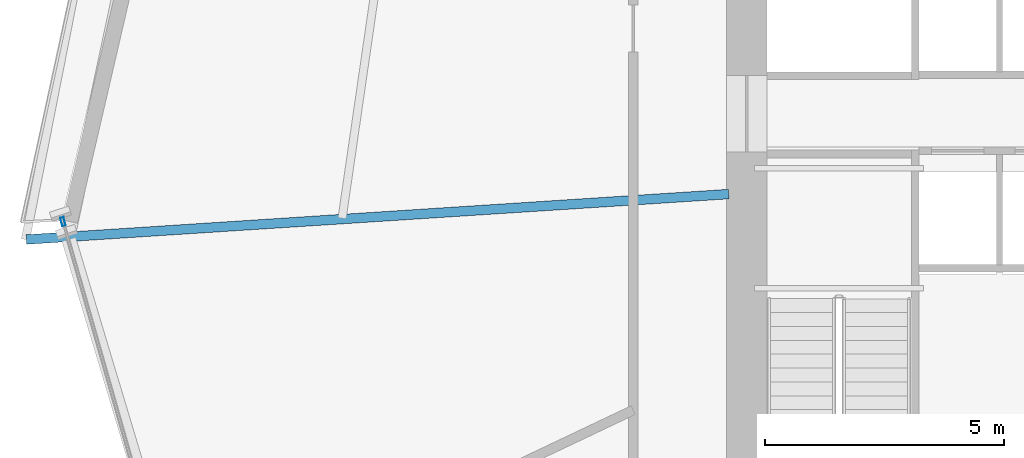
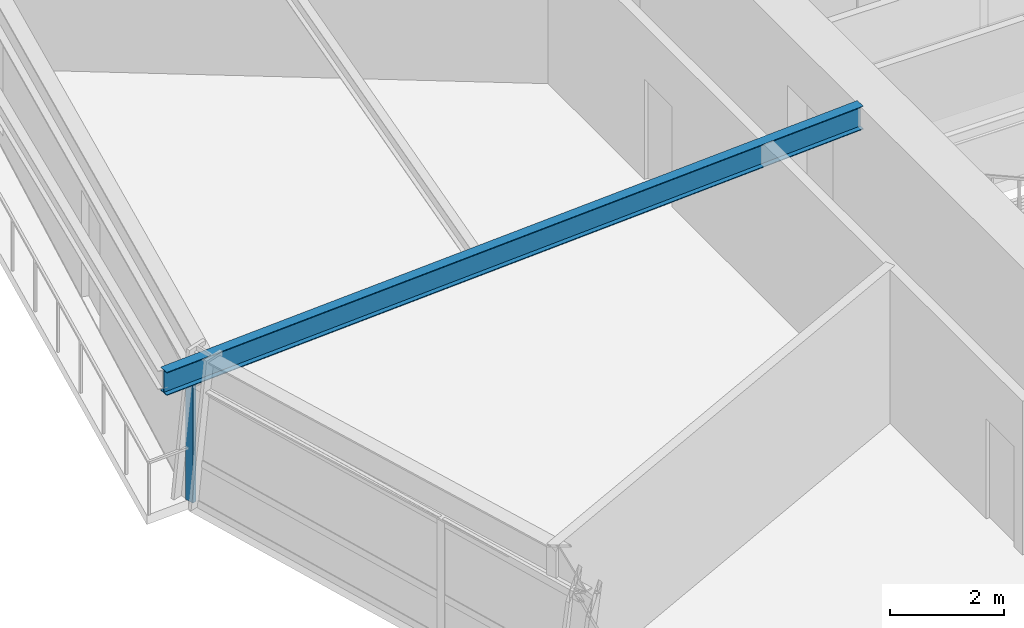
# One storey, part 6 of 21: 1 beam, 1 member, 1 element without a shape of its own.
"""IFC4 building model written with IfcOpenShell, lengths in metres."""

from ifc_helpers import new_model, si_unit, direction, frame, origin, origin_2d, place, context, subcontext, project, spatial, hollow_rectangle, i_section, extrude, source, transform, mapped, material, material_profile, profile_set, type_object, element, aggregate, save


model = new_model("IFC4")

# Units and contexts
model_context = context("Model", 3, precision=1e-05, world=origin(), true_north=direction((0.0, 1.0)))
body_context = subcontext(model_context, "Body", "Model", "MODEL_VIEW")
ifc_project = project(units=[si_unit("LENGTHUNIT", "METRE"), si_unit("AREAUNIT", "SQUARE_METRE"), si_unit("VOLUMEUNIT", "CUBIC_METRE"), si_unit("PLANEANGLEUNIT", "RADIAN"), si_unit("MASSUNIT", "GRAM", prefix="KILO")], contexts=[model_context])

# Site, building, storey
site_placement = place(None, origin())
site = spatial("IfcSite", under=ifc_project, at=site_placement, CompositionType="ELEMENT")
building_placement = place(site_placement, origin())
building = spatial("IfcBuilding", under=site, at=building_placement, Name="Olszyna Solenne Hotel", CompositionType="ELEMENT")
storey_placement = place(building_placement, frame((0.0, 0.0, 47.050048828125)))
storey = spatial("IfcBuildingStorey", under=building, at=storey_placement, Name="L11", CompositionType="ELEMENT", Elevation=47.050048828125)

# Beam
ifc_material_1 = material(Name="Steel S355J2", Category="steel")
ifc_material_profile_1 = material_profile(ifc_material_1, i_section(OverallWidth=0.199951171875, OverallDepth=0.5, WebThickness=0.01025390625, FlangeThickness=0.01611328125, at=origin_2d()), Name="IPE 500", Category="load-bearing")
ifc_profile_set_1 = profile_set([ifc_material_profile_1], Name="Steel S355J2")
beam_type = type_object("IfcBeamType", Name="BM-F3", PredefinedType="BEAM", material=ifc_profile_set_1)
shared_shape_1 = source(origin(), body_context, "Body", "SweptSolid", [
    extrude(i_section(OverallWidth=0.199951171875, OverallDepth=0.5, WebThickness=0.01025390625, FlangeThickness=0.01611328125, at=origin_2d()), origin(), (0.0, 0.0, 1.0), 14.72607421875),
])
beam_placement = place(storey_placement, frame((14.6044921875, 25.089599609375, 3.050048828125), z_axis=(0.997913954591, 0.064558029957, 0.0), x_axis=(-0.064558029957, 0.997913954591, 0.0)))
element("IfcBeam", 1, at=beam_placement, inside=storey, type_object=beam_type, Name="Radial floor girder BM-F3 B-L11-0364", PredefinedType="BEAM", context=body_context, shape_type="MappedRepresentation", body=[
    mapped(shared_shape_1, transform((0.0, 0.0, 0.0), x_axis=(1.0, 0.0, 0.0), y_axis=(0.0, 1.0, 0.0), z_axis=(0.0, 0.0, 1.0), scale=1.0)),
])

# Curtain wall, member
ifc_material_2 = material(Name="Anodised bronze aluminium", Category="aluminium")
curtain_wall_type = type_object("IfcCurtainWallType", Name="CW-SYS-2", PredefinedType="NOTDEFINED", material=ifc_material_2)
curtain_wall_placement = place(storey_placement, origin())
curtain_wall = element("IfcCurtainWall", 2, at=curtain_wall_placement, inside=storey, type_object=curtain_wall_type, Name="Unitised curtain wall CW-SYS-2 CW-L11-01", PredefinedType="NOTDEFINED")
ifc_material_profile_2 = material_profile(ifc_material_2, hollow_rectangle(XDim=0.074951171875, YDim=0.179931640625, WallThickness=0.00439453125, at=origin_2d()), Name="MULL 180x75x4.5", Category="load-bearing")
ifc_profile_set_2 = profile_set([ifc_material_profile_2], Name="Anodised bronze aluminium")
member_type = type_object("IfcMemberType", Name="CW-M2", PredefinedType="MULLION", material=ifc_profile_set_2)
shared_shape_2 = source(origin(), body_context, "Body", "SweptSolid", [
    extrude(hollow_rectangle(XDim=0.074951171875, YDim=0.179931640625, WallThickness=0.00439453125, at=origin_2d()), origin(), (0.0, 0.0, 1.0), 2.592041015625),
])
member_placement = place(storey_placement, frame((15.36865234375, 25.46484375, 0.0), z_axis=(0.0, 0.0, 1.0), x_axis=(0.961508499917, 0.274775189179, 0.0)))
member = element("IfcMember", 3, at=member_placement, type_object=member_type, Name="Curtain-wall mullion CW-M2 CM-L11-01-01", PredefinedType="MULLION", context=body_context, shape_type="MappedRepresentation", body=[
    mapped(shared_shape_2, transform((0.0, 0.0, 0.0), x_axis=(1.0, 0.0, 0.0), y_axis=(0.0, 1.0, 0.0), z_axis=(0.0, 0.0, 1.0), scale=1.0)),
])
aggregate(curtain_wall, [member])

save(model, "model.ifc")
